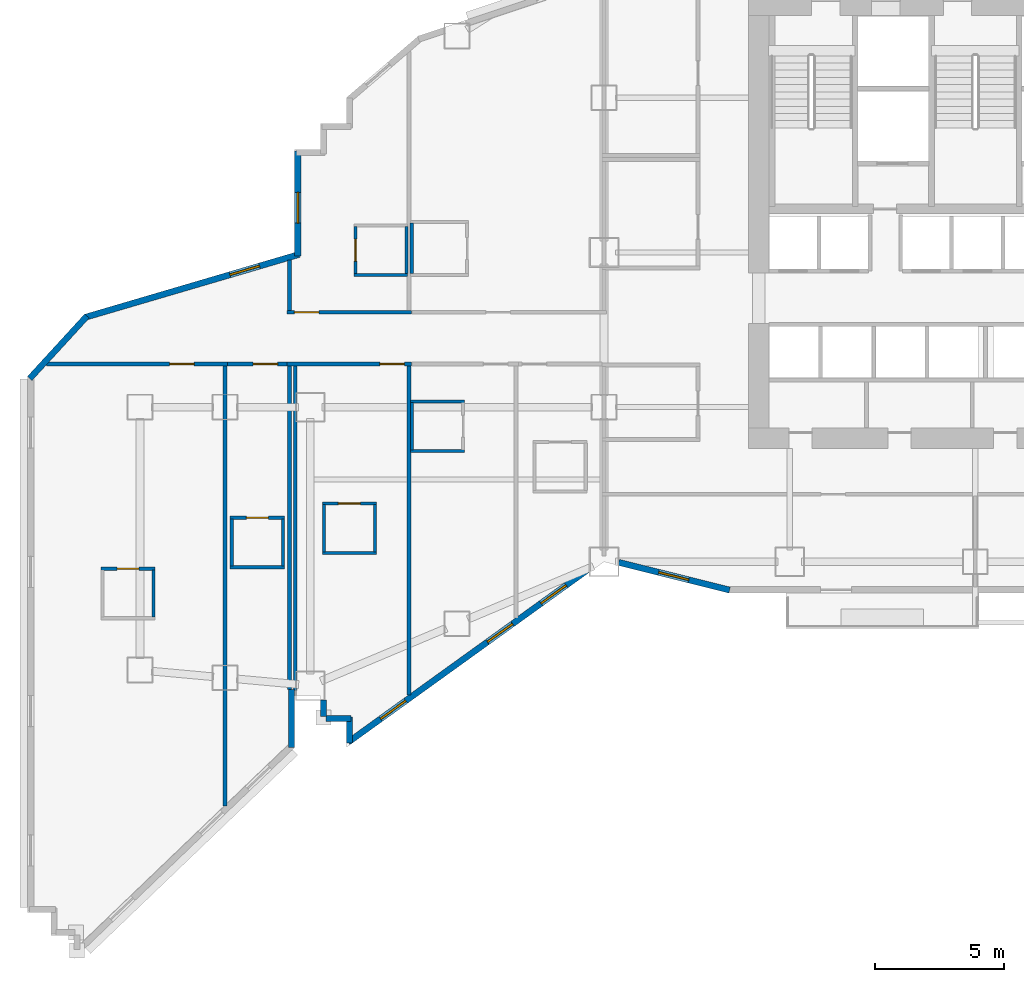
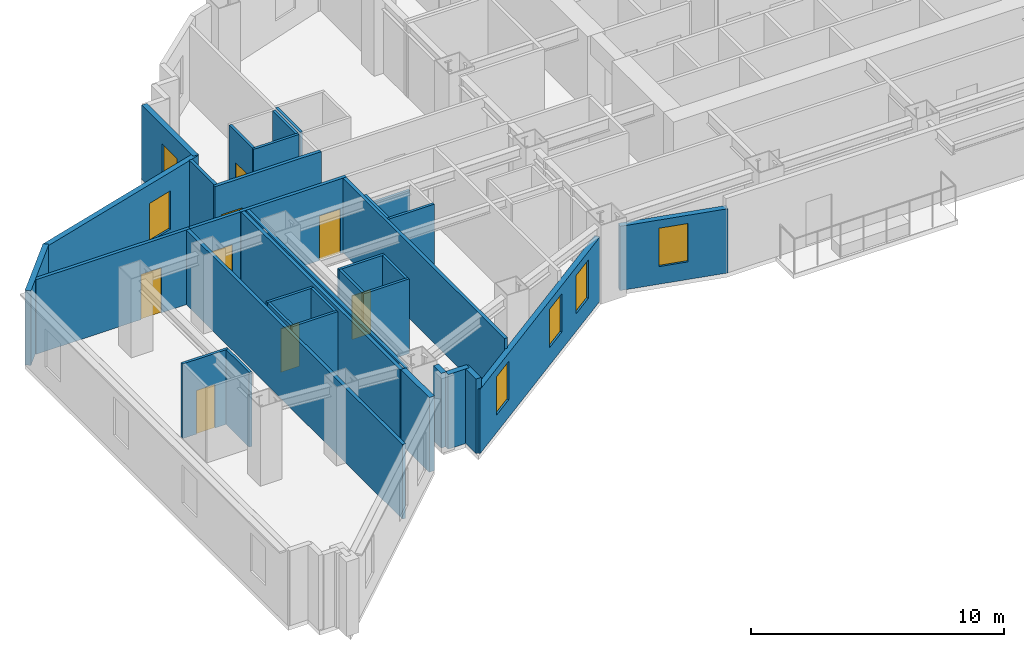
# One storey, part 6 of 17: 35 walls, 8 doors, 6 windows, 14 openings.
"""IFC4 building model written with IfcOpenShell, lengths in metres."""

from ifc_helpers import new_model, si_unit, direction, frame, frame_2d, origin, place, context, subcontext, project, spatial, rectangle, extrude, material, layer, layer_set, type_object, element, fill, save


model = new_model("IFC4")

# Units and contexts
model_context = context("Model", 3, precision=1e-05, world=origin(), true_north=direction((0.0, 1.0)))
body_context = subcontext(model_context, "Body", "Model", "MODEL_VIEW")
ifc_project = project(units=[si_unit("LENGTHUNIT", "METRE"), si_unit("AREAUNIT", "SQUARE_METRE"), si_unit("VOLUMEUNIT", "CUBIC_METRE"), si_unit("PLANEANGLEUNIT", "RADIAN"), si_unit("MASSUNIT", "GRAM", prefix="KILO")], contexts=[model_context])

# Site, building, storey
site_placement = place(None, origin())
site = spatial("IfcSite", under=ifc_project, at=site_placement, CompositionType="ELEMENT")
building_placement = place(site_placement, origin())
building = spatial("IfcBuilding", under=site, at=building_placement, Name="Haolan Belvedere Tower", CompositionType="ELEMENT")
storey_placement = place(building_placement, frame((0.0, 0.0, 55.199951171875)))
storey = spatial("IfcBuildingStorey", under=building, at=storey_placement, Name="L13", CompositionType="ELEMENT", Elevation=55.199951171875)

# Walls
ifc_material_1 = material(Name="Precast concrete C40/50", Category="concrete")
ifc_layer_1 = layer(ifc_material_1, 0.239990234375, Name="Precast concrete C40/50")
ifc_layer_set_1 = layer_set([ifc_layer_1], Name="Precast concrete C40/50")
wall_type_1 = type_object("IfcWallType", Name="WL-EXT-240", PredefinedType="SOLIDWALL", material=ifc_layer_set_1)
wall_1_placement = place(storey_placement, frame((11.8798828125, 14.396240234375, 0.0), z_axis=(0.0, 0.0, 1.0), x_axis=(0.0, 1.0, 0.0)))
element("IfcWall", 1, at=wall_1_placement, inside=storey, type_object=wall_type_1, Name="L13 pale-metal exterior spandrel wall 6.1", PredefinedType="SOLIDWALL", context=body_context, shape_type="SweptSolid", body=[
    extrude(rectangle(XDim=2.24365234375, YDim=0.239990234375, at=frame_2d((1.121826171875, 0.0))), origin(), (0.0, 0.0, 1.0), 3.60009765625),
])
wall_2_placement = place(storey_placement, frame((13.1201171875, 16.23291015625, 0.0), z_axis=(0.0, 0.0, 1.0), x_axis=(0.0, -1.0, 0.0)))
element("IfcWall", 2, at=wall_2_placement, inside=storey, type_object=wall_type_1, Name="L13 pale-metal exterior spandrel wall 8.1", PredefinedType="SOLIDWALL", context=body_context, shape_type="SweptSolid", body=[
    extrude(rectangle(XDim=0.6279296875, YDim=0.239990234375, at=frame_2d((0.31396484375, 0.0))), origin(), (0.0, 0.0, 1.0), 3.60009765625),
])
wall_3_placement = place(storey_placement, frame((13.205078125, 15.52001953125, 0.0), z_axis=(0.0, 0.0, 1.0), x_axis=(1.0, 0.0, 0.0)))
element("IfcWall", 3, at=wall_3_placement, inside=storey, type_object=wall_type_1, Name="L13 pale-metal exterior spandrel wall 9.1", PredefinedType="SOLIDWALL", context=body_context, shape_type="SweptSolid", body=[
    extrude(rectangle(XDim=0.969970703125, YDim=0.239990234375, at=frame_2d((0.48486328125, 0.0))), origin(), (0.0, 0.0, 1.0), 3.60009765625),
])
wall_4_placement = place(storey_placement, frame((14.1201171875, 15.574951171875, 0.0), z_axis=(0.0, 0.0, 1.0), x_axis=(0.0, -1.0, 0.0)))
element("IfcWall", 4, at=wall_4_placement, inside=storey, type_object=wall_type_1, Name="L13 pale-metal exterior spandrel wall 10.1", PredefinedType="SOLIDWALL", context=body_context, shape_type="SweptSolid", body=[
    extrude(rectangle(XDim=0.99560546875, YDim=0.239990234375, at=frame_2d((0.497802734375, 0.0))), origin(), (0.0, 0.0, 1.0), 3.60009765625),
])

# Wall, openings, windows
wall_5_placement = place(storey_placement, frame((14.075439453125, 14.602294921875, 0.0), z_axis=(0.0, 0.0, 1.0), x_axis=(0.811543176492, 0.58429245476, 0.0)))
wall_5 = element("IfcWall", 5, at=wall_5_placement, inside=storey, type_object=wall_type_1, Name="L13 pale-metal exterior spandrel wall 11.1", PredefinedType="SOLIDWALL", context=body_context, shape_type="SweptSolid", body=[
    extrude(rectangle(XDim=11.53076171875, YDim=0.239990234375, at=frame_2d((5.765380859375, 0.0))), origin(), (0.0, 0.0, 1.0), 3.09716796875),
])
opening_1_placement = place(wall_5_placement, frame((1.55419921875, 0.0, 0.85009765625)))
opening_1 = element("IfcOpeningElement", 6, at=opening_1_placement, cuts=wall_5, Name="Opening W-01", PredefinedType="OPENING", context=body_context, shape_type="SweptSolid", body=[
    extrude(rectangle(XDim=1.199951171875, YDim=1.85009765625, at=frame_2d((0.60009765625, 0.925048828125))), frame((0.0, 0.1298828125, 0.0), z_axis=(0.0, -1.0, 0.0), x_axis=(1.0, 0.0, 0.0)), (0.0, 0.0, 1.0), 0.260009765625),
])
opening_2_placement = place(wall_5_placement, frame((6.65576171875, 0.0, 0.85009765625)))
opening_2 = element("IfcOpeningElement", 7, at=opening_2_placement, cuts=wall_5, Name="Opening W-01", PredefinedType="OPENING", context=body_context, shape_type="SweptSolid", body=[
    extrude(rectangle(XDim=1.199951171875, YDim=1.85009765625, at=frame_2d((0.60009765625, 0.925048828125))), frame((0.0, 0.1298828125, 0.0), z_axis=(0.0, -1.0, 0.0), x_axis=(1.0, 0.0, 0.0)), (0.0, 0.0, 1.0), 0.260009765625),
])
opening_3_placement = place(wall_5_placement, frame((9.217529296875, 0.0, 0.85009765625)))
opening_3 = element("IfcOpeningElement", 8, at=opening_3_placement, cuts=wall_5, Name="Opening W-01", PredefinedType="OPENING", context=body_context, shape_type="SweptSolid", body=[
    extrude(rectangle(XDim=1.199951171875, YDim=1.85009765625, at=frame_2d((0.60009765625, 0.925048828125))), frame((0.0, 0.1298828125, 0.0), z_axis=(0.0, -1.0, 0.0), x_axis=(1.0, 0.0, 0.0)), (0.0, 0.0, 1.0), 0.260009765625),
])
ifc_material_2 = material(Name="Anodised aluminium 6063-T6 and Low-E glass", Category="aluminium")
window_type = type_object("IfcWindowType", Name="WN-DECO-Z1", PartitioningType="SINGLE_PANEL", PredefinedType="WINDOW", material=ifc_material_2)
window_1_placement = place(opening_1_placement, origin())
window_1 = element("IfcWindow", 9, at=window_1_placement, inside=storey, type_object=window_type, Name="L13 Art Deco chevron window 1", OverallHeight=1.85009765625, OverallWidth=1.199951171875, PartitioningType="SINGLE_PANEL", PredefinedType="WINDOW", context=body_context, shape_type="SweptSolid", body=[
    extrude(rectangle(XDim=1.199951171875, YDim=1.85009765625, at=frame_2d((0.60009765625, 0.925048828125))), frame((0.0, 0.030029296875, 0.0), z_axis=(0.0, -1.0, 0.0), x_axis=(1.0, 0.0, 0.0)), (0.0, 0.0, 1.0), 0.06005859375),
])
fill(opening_1, window_1)
window_2_placement = place(opening_2_placement, origin())
window_2 = element("IfcWindow", 10, at=window_2_placement, inside=storey, type_object=window_type, Name="L13 Art Deco chevron window 2", OverallHeight=1.85009765625, OverallWidth=1.199951171875, PartitioningType="SINGLE_PANEL", PredefinedType="WINDOW", context=body_context, shape_type="SweptSolid", body=[
    extrude(rectangle(XDim=1.199951171875, YDim=1.85009765625, at=frame_2d((0.60009765625, 0.925048828125))), frame((0.0, 0.030029296875, 0.0), z_axis=(0.0, -1.0, 0.0), x_axis=(1.0, 0.0, 0.0)), (0.0, 0.0, 1.0), 0.06005859375),
])
fill(opening_2, window_2)
window_3_placement = place(opening_3_placement, origin())
window_3 = element("IfcWindow", 11, at=window_3_placement, inside=storey, type_object=window_type, Name="L13 Art Deco guestroom window 1", OverallHeight=1.85009765625, OverallWidth=1.199951171875, PartitioningType="SINGLE_PANEL", PredefinedType="WINDOW", context=body_context, shape_type="SweptSolid", body=[
    extrude(rectangle(XDim=1.199951171875, YDim=1.85009765625, at=frame_2d((0.60009765625, 0.925048828125))), frame((0.0, 0.030029296875, 0.0), z_axis=(0.0, -1.0, 0.0), x_axis=(1.0, 0.0, 0.0)), (0.0, 0.0, 1.0), 0.06005859375),
])
fill(opening_3, window_3)

# Wall, opening, window
wall_6_placement = place(storey_placement, frame((24.56689453125, 21.581787109375, 0.0), z_axis=(0.0, 0.0, 1.0), x_axis=(0.970148978127, -0.24250971164, 0.0)))
wall_6 = element("IfcWall", 12, at=wall_6_placement, inside=storey, type_object=wall_type_1, Name="L13 pale-metal exterior spandrel wall 12.1", PredefinedType="SOLIDWALL", context=body_context, shape_type="SweptSolid", body=[
    extrude(rectangle(XDim=4.43359375, YDim=0.239990234375, at=frame_2d((2.216796875, 0.0))), origin(), (0.0, 0.0, 1.0), 3.09716796875),
])
opening_4_placement = place(wall_6_placement, frame((1.60009765625, 0.0, 0.85009765625)))
opening_4 = element("IfcOpeningElement", 13, at=opening_4_placement, cuts=wall_6, Name="Opening W-01", PredefinedType="OPENING", context=body_context, shape_type="SweptSolid", body=[
    extrude(rectangle(XDim=1.199951171875, YDim=1.85009765625, at=frame_2d((0.60009765625, 0.925048828125))), frame((0.0, 0.1298828125, 0.0), z_axis=(0.0, -1.0, 0.0), x_axis=(1.0, 0.0, 0.0)), (0.0, 0.0, 1.0), 0.260009765625),
])
window_4_placement = place(opening_4_placement, origin())
window_4 = element("IfcWindow", 14, at=window_4_placement, inside=storey, type_object=window_type, Name="L13 Art Deco chevron window 1", OverallHeight=1.85009765625, OverallWidth=1.199951171875, PartitioningType="SINGLE_PANEL", PredefinedType="WINDOW", context=body_context, shape_type="SweptSolid", body=[
    extrude(rectangle(XDim=1.199951171875, YDim=1.85009765625, at=frame_2d((0.60009765625, 0.925048828125))), frame((0.0, 0.030029296875, 0.0), z_axis=(0.0, -1.0, 0.0), x_axis=(1.0, 0.0, 0.0)), (0.0, 0.0, 1.0), 0.06005859375),
])
fill(opening_4, window_4)

wall_7_placement = place(storey_placement, frame((12.1201171875, 37.534912109375, 0.0), z_axis=(0.0, 0.0, 1.0), x_axis=(0.0, -1.0, 0.0)))
wall_7 = element("IfcWall", 15, at=wall_7_placement, inside=storey, type_object=wall_type_1, Name="L13 pale-metal exterior spandrel wall 56.1", PredefinedType="SOLIDWALL", context=body_context, shape_type="SweptSolid", body=[
    extrude(rectangle(XDim=4.079833984375, YDim=0.239990234375, at=frame_2d((2.0400390625, 0.0))), origin(), (0.0, 0.0, 1.0), 3.60009765625),
])
opening_5_placement = place(wall_7_placement, frame((1.60009765625, 0.0, 0.85009765625)))
opening_5 = element("IfcOpeningElement", 16, at=opening_5_placement, cuts=wall_7, Name="Opening W-01", PredefinedType="OPENING", context=body_context, shape_type="SweptSolid", body=[
    extrude(rectangle(XDim=1.199951171875, YDim=1.85009765625, at=frame_2d((0.60009765625, 0.925048828125))), frame((0.0, 0.1298828125, 0.0), z_axis=(0.0, -1.0, 0.0), x_axis=(1.0, 0.0, 0.0)), (0.0, 0.0, 1.0), 0.260009765625),
])
window_5_placement = place(opening_5_placement, origin())
window_5 = element("IfcWindow", 17, at=window_5_placement, inside=storey, type_object=window_type, Name="L13 Art Deco chevron window 1", OverallHeight=1.85009765625, OverallWidth=1.199951171875, PartitioningType="SINGLE_PANEL", PredefinedType="WINDOW", context=body_context, shape_type="SweptSolid", body=[
    extrude(rectangle(XDim=1.199951171875, YDim=1.85009765625, at=frame_2d((0.60009765625, 0.925048828125))), frame((0.0, 0.030029296875, 0.0), z_axis=(0.0, -1.0, 0.0), x_axis=(1.0, 0.0, 0.0)), (0.0, 0.0, 1.0), 0.06005859375),
])
fill(opening_5, window_5)

wall_8_placement = place(storey_placement, frame((12.1728515625, 33.525634765625, 0.0), z_axis=(0.0, 0.0, 1.0), x_axis=(-0.959372673811, -0.28214193723, 0.0)))
wall_8 = element("IfcWall", 18, at=wall_8_placement, inside=storey, type_object=wall_type_1, Name="L13 pale-metal exterior spandrel wall 57.1", PredefinedType="SOLIDWALL", context=body_context, shape_type="SweptSolid", body=[
    extrude(rectangle(XDim=8.672119140625, YDim=0.239990234375, at=frame_2d((4.3359375, 0.0))), origin(), (0.0, 0.0, 1.0), 3.60009765625),
])
opening_6_placement = place(wall_8_placement, frame((1.60009765625, 0.0, 0.85009765625)))
opening_6 = element("IfcOpeningElement", 19, at=opening_6_placement, cuts=wall_8, Name="Opening W-01", PredefinedType="OPENING", context=body_context, shape_type="SweptSolid", body=[
    extrude(rectangle(XDim=1.199951171875, YDim=1.85009765625, at=frame_2d((0.60009765625, 0.925048828125))), frame((0.0, 0.1298828125, 0.0), z_axis=(0.0, -1.0, 0.0), x_axis=(1.0, 0.0, 0.0)), (0.0, 0.0, 1.0), 0.260009765625),
])
window_6_placement = place(opening_6_placement, origin())
window_6 = element("IfcWindow", 20, at=window_6_placement, inside=storey, type_object=window_type, Name="L13 Art Deco chevron window 1", OverallHeight=1.85009765625, OverallWidth=1.199951171875, PartitioningType="SINGLE_PANEL", PredefinedType="WINDOW", context=body_context, shape_type="SweptSolid", body=[
    extrude(rectangle(XDim=1.199951171875, YDim=1.85009765625, at=frame_2d((0.60009765625, 0.925048828125))), frame((0.0, 0.030029296875, 0.0), z_axis=(0.0, -1.0, 0.0), x_axis=(1.0, 0.0, 0.0)), (0.0, 0.0, 1.0), 0.06005859375),
])
fill(opening_6, window_6)

# Wall
wall_9_placement = place(storey_placement, frame((3.943115234375, 31.134765625, 0.0), z_axis=(0.0, 0.0, 1.0), x_axis=(-0.675751546976, -0.737129464042, 0.0)))
element("IfcWall", 21, at=wall_9_placement, inside=storey, type_object=wall_type_1, Name="L13 pale-metal exterior spandrel wall 58.1", PredefinedType="SOLIDWALL", context=body_context, shape_type="SweptSolid", body=[
    extrude(rectangle(XDim=3.28564453125, YDim=0.239990234375, at=frame_2d((1.642822265625, 0.0))), origin(), (0.0, 0.0, 1.0), 3.60009765625),
])

# Wall, opening, door
ifc_material_3 = material(Name="Double gypsum acoustic stud partition", Category="masonry")
ifc_layer_2 = layer(ifc_material_3, 0.14990234375, Name="Double gypsum acoustic stud partition")
ifc_layer_set_2 = layer_set([ifc_layer_2], Name="Double gypsum acoustic stud partition")
wall_type_2 = type_object("IfcWallType", Name="WL-PART-150", PredefinedType="PARTITIONING", material=ifc_layer_set_2)
wall_10_placement = place(storey_placement, frame((11.699951171875, 31.280029296875, 0.0), z_axis=(0.0, 0.0, 1.0), x_axis=(1.0, 0.0, 0.0)))
wall_10 = element("IfcWall", 22, at=wall_10_placement, inside=storey, type_object=wall_type_2, Name="L13 interior partition IW-L13-T2N1-S", PredefinedType="PARTITIONING", context=body_context, shape_type="SweptSolid", body=[
    extrude(rectangle(XDim=4.840087890625, YDim=0.14990234375, at=frame_2d((2.419921875, 0.0))), origin(), (0.0, 0.0, 1.0), 3.60009765625),
])
opening_7_placement = place(wall_10_placement, frame((0.28759765625, 0.0, 0.0)))
opening_7 = element("IfcOpeningElement", 23, at=opening_7_placement, cuts=wall_10, Name="Opening ID-02", PredefinedType="OPENING", context=body_context, shape_type="SweptSolid", body=[
    extrude(rectangle(XDim=0.949951171875, YDim=2.14990234375, at=frame_2d((0.47509765625, 1.074951171875))), frame((0.0, 0.0849609375, 0.0), z_axis=(0.0, -1.0, 0.0), x_axis=(1.0, 0.0, 0.0)), (0.0, 0.0, 1.0), 0.169921875),
])
ifc_material_4 = material(Name="Acoustic oak veneer fire-rated timber", Category="wood")
door_type_1 = type_object("IfcDoorType", Name="DR-GUEST-950", OperationType="NOTDEFINED", PredefinedType="DOOR", material=ifc_material_4)
door_1_placement = place(opening_7_placement, origin())
door_1 = element("IfcDoor", 24, at=door_1_placement, inside=storey, type_object=door_type_1, Name="L13 door ID-L13-T2N1-ENT", OperationType="SINGLE_SWING_LEFT", OverallHeight=2.14990234375, OverallWidth=0.949951171875, PredefinedType="DOOR", context=body_context, shape_type="SweptSolid", body=[
    extrude(rectangle(XDim=0.949951171875, YDim=2.14990234375, at=frame_2d((0.47509765625, 1.074951171875))), frame((0.0, 0.02490234375, 0.0), z_axis=(0.0, -1.0, 0.0), x_axis=(1.0, 0.0, 0.0)), (0.0, 0.0, 1.0), 0.050048828125),
])
fill(opening_7, door_1)

# Wall
wall_11_placement = place(storey_placement, frame((11.800048828125, 31.340087890625, 0.0), z_axis=(0.0, 0.0, 1.0), x_axis=(0.0, 1.0, 0.0)))
element("IfcWall", 25, at=wall_11_placement, inside=storey, type_object=wall_type_2, Name="L13 interior partition IW-L13-T2N1-W", PredefinedType="PARTITIONING", context=body_context, shape_type="SweptSolid", body=[
    extrude(rectangle(XDim=1.966552734375, YDim=0.14990234375, at=frame_2d((0.9833984375, 0.0))), origin(), (0.0, 0.0, 1.0), 3.60009765625),
])

# Wall, opening, door
wall_12_placement = place(storey_placement, frame((11.699951171875, 29.27001953125, 0.0), z_axis=(0.0, 0.0, 1.0), x_axis=(1.0, 0.0, 0.0)))
wall_12 = element("IfcWall", 26, at=wall_12_placement, inside=storey, type_object=wall_type_2, Name="L13 interior partition IW-L13-T2S1-N", PredefinedType="PARTITIONING", context=body_context, shape_type="SweptSolid", body=[
    extrude(rectangle(XDim=4.840087890625, YDim=0.14990234375, at=frame_2d((2.419921875, 0.0))), origin(), (0.0, 0.0, 1.0), 3.60009765625),
])
opening_8_placement = place(wall_12_placement, frame((4.552490234375, 0.0, 0.0), z_axis=(0.0, 0.0, 1.0), x_axis=(-1.0, 0.0, 0.0)))
opening_8 = element("IfcOpeningElement", 27, at=opening_8_placement, cuts=wall_12, Name="Opening ID-02", PredefinedType="OPENING", context=body_context, shape_type="SweptSolid", body=[
    extrude(rectangle(XDim=0.949951171875, YDim=2.14990234375, at=frame_2d((0.47509765625, 1.074951171875))), frame((0.0, 0.0849609375, 0.0), z_axis=(0.0, -1.0, 0.0), x_axis=(1.0, 0.0, 0.0)), (0.0, 0.0, 1.0), 0.169921875),
])
door_2_placement = place(opening_8_placement, origin())
door_2 = element("IfcDoor", 28, at=door_2_placement, inside=storey, type_object=door_type_1, Name="L13 door ID-L13-T2S1-ENT", OperationType="SINGLE_SWING_LEFT", OverallHeight=2.14990234375, OverallWidth=0.949951171875, PredefinedType="DOOR", context=body_context, shape_type="SweptSolid", body=[
    extrude(rectangle(XDim=0.949951171875, YDim=2.14990234375, at=frame_2d((0.47509765625, 1.074951171875))), frame((0.0, 0.02490234375, 0.0), z_axis=(0.0, -1.0, 0.0), x_axis=(1.0, 0.0, 0.0)), (0.0, 0.0, 1.0), 0.050048828125),
])
fill(opening_8, door_2)

# Walls
wall_13_placement = place(storey_placement, frame((11.800048828125, 16.64208984375, 0.0), z_axis=(0.0, 0.0, 1.0), x_axis=(0.0, 1.0, 0.0)))
element("IfcWall", 29, at=wall_13_placement, inside=storey, type_object=wall_type_2, Name="L13 interior partition IW-L13-T2S1-W", PredefinedType="PARTITIONING", context=body_context, shape_type="SweptSolid", body=[
    extrude(rectangle(XDim=12.56787109375, YDim=0.14990234375, at=frame_2d((6.283935546875, 0.0))), origin(), (0.0, 0.0, 1.0), 3.60009765625),
])
wall_14_placement = place(storey_placement, frame((16.43994140625, 16.43408203125, 0.0), z_axis=(0.0, 0.0, 1.0), x_axis=(0.0, 1.0, 0.0)))
element("IfcWall", 30, at=wall_14_placement, inside=storey, type_object=wall_type_2, Name="L13 interior partition IW-L13-T2S1-E", PredefinedType="PARTITIONING", context=body_context, shape_type="SweptSolid", body=[
    extrude(rectangle(XDim=12.77587890625, YDim=0.14990234375, at=frame_2d((6.387939453125, 0.0))), origin(), (0.0, 0.0, 1.0), 3.60009765625),
])

# Wall, opening, door
wall_15_placement = place(storey_placement, frame((2.3759765625, 29.27001953125, 0.0), z_axis=(0.0, 0.0, 1.0), x_axis=(1.0, 0.0, 0.0)))
wall_15 = element("IfcWall", 31, at=wall_15_placement, inside=storey, type_object=wall_type_2, Name="L13 interior partition IW-L13-T1S1-N", PredefinedType="PARTITIONING", context=body_context, shape_type="SweptSolid", body=[
    extrude(rectangle(XDim=7.02392578125, YDim=0.14990234375, at=frame_2d((3.511962890625, 0.0))), origin(), (0.0, 0.0, 1.0), 3.60009765625),
])
opening_9_placement = place(wall_15_placement, frame((5.726806640625, 0.0, 0.0), z_axis=(0.0, 0.0, 1.0), x_axis=(-1.0, 0.0, 0.0)))
opening_9 = element("IfcOpeningElement", 32, at=opening_9_placement, cuts=wall_15, Name="Opening ID-01", PredefinedType="OPENING", context=body_context, shape_type="SweptSolid", body=[
    extrude(rectangle(XDim=0.949951171875, YDim=2.179931640625, at=frame_2d((0.47509765625, 1.08984375))), frame((0.0, 0.0849609375, 0.0), z_axis=(0.0, -1.0, 0.0), x_axis=(1.0, 0.0, 0.0)), (0.0, 0.0, 1.0), 0.169921875),
])
ifc_material_5 = material(Name="Acoustic walnut veneer fire-rated timber", Category="wood")
door_type_2 = type_object("IfcDoorType", Name="DR-SUITE-950", OperationType="NOTDEFINED", PredefinedType="DOOR", material=ifc_material_5)
door_3_placement = place(opening_9_placement, origin())
door_3 = element("IfcDoor", 33, at=door_3_placement, inside=storey, type_object=door_type_2, Name="L13 door ID-L13-T1S1-ENT", OperationType="SINGLE_SWING_LEFT", OverallHeight=2.179931640625, OverallWidth=0.949951171875, PredefinedType="DOOR", context=body_context, shape_type="SweptSolid", body=[
    extrude(rectangle(XDim=0.949951171875, YDim=2.179931640625, at=frame_2d((0.47509765625, 1.08984375))), frame((0.0, 0.02490234375, 0.0), z_axis=(0.0, -1.0, 0.0), x_axis=(1.0, 0.0, 0.0)), (0.0, 0.0, 1.0), 0.050048828125),
])
fill(opening_9, door_3)

# Wall
wall_16_placement = place(storey_placement, frame((9.300048828125, 12.12451171875, 0.0), z_axis=(0.0, 0.0, 1.0), x_axis=(0.0, 1.0, 0.0)))
element("IfcWall", 34, at=wall_16_placement, inside=storey, type_object=wall_type_2, Name="L13 interior partition IW-L13-T1S1-E", PredefinedType="PARTITIONING", context=body_context, shape_type="SweptSolid", body=[
    extrude(rectangle(XDim=17.08544921875, YDim=0.14990234375, at=frame_2d((8.542724609375, 0.0))), origin(), (0.0, 0.0, 1.0), 3.60009765625),
])

# Wall, opening, door
wall_17_placement = place(storey_placement, frame((9.402099609375, 29.27001953125, 0.0), z_axis=(0.0, 0.0, 1.0), x_axis=(1.0, 0.0, 0.0)))
wall_17 = element("IfcWall", 35, at=wall_17_placement, inside=storey, type_object=wall_type_2, Name="L13 interior partition IW-L13-T1S2-N", PredefinedType="PARTITIONING", context=body_context, shape_type="SweptSolid", body=[
    extrude(rectangle(XDim=2.2958984375, YDim=0.14990234375, at=frame_2d((1.14794921875, 0.0))), origin(), (0.0, 0.0, 1.0), 3.60009765625),
])
opening_10_placement = place(wall_17_placement, frame((1.93408203125, 0.0, 0.0), z_axis=(0.0, 0.0, 1.0), x_axis=(-1.0, 0.0, 0.0)))
opening_10 = element("IfcOpeningElement", 36, at=opening_10_placement, cuts=wall_17, Name="Opening ID-02", PredefinedType="OPENING", context=body_context, shape_type="SweptSolid", body=[
    extrude(rectangle(XDim=0.949951171875, YDim=2.14990234375, at=frame_2d((0.47509765625, 1.074951171875))), frame((0.0, 0.0849609375, 0.0), z_axis=(0.0, -1.0, 0.0), x_axis=(1.0, 0.0, 0.0)), (0.0, 0.0, 1.0), 0.169921875),
])
door_4_placement = place(opening_10_placement, origin())
door_4 = element("IfcDoor", 37, at=door_4_placement, inside=storey, type_object=door_type_1, Name="L13 door ID-L13-T1S2-ENT", OperationType="SINGLE_SWING_RIGHT", OverallHeight=2.14990234375, OverallWidth=0.949951171875, PredefinedType="DOOR", context=body_context, shape_type="SweptSolid", body=[
    extrude(rectangle(XDim=0.949951171875, YDim=2.14990234375, at=frame_2d((0.47509765625, 1.074951171875))), frame((0.0, 0.02490234375, 0.0), z_axis=(0.0, -1.0, 0.0), x_axis=(1.0, 0.0, 0.0)), (0.0, 0.0, 1.0), 0.050048828125),
])
fill(opening_10, door_4)

# Walls
wall_18_placement = place(storey_placement, frame((12.02001953125, 16.612060546875, 0.0), z_axis=(0.0, 0.0, 1.0), x_axis=(0.0, 1.0, 0.0)))
element("IfcWall", 38, at=wall_18_placement, inside=storey, type_object=wall_type_2, Name="L13 interior partition IW-L13-T1S2-E", PredefinedType="PARTITIONING", context=body_context, shape_type="SweptSolid", body=[
    extrude(rectangle(XDim=12.597900390625, YDim=0.14990234375, at=frame_2d((6.298828125, 0.0))), origin(), (0.0, 0.0, 1.0), 3.60009765625),
])
ifc_material_6 = material(Name="Moisture-resistant gypsum tile partition", Category="masonry")
ifc_layer_3 = layer(ifc_material_6, 0.1201171875, Name="Moisture-resistant gypsum tile partition")
ifc_layer_set_3 = layer_set([ifc_layer_3], Name="Moisture-resistant gypsum tile partition")
wall_type_3 = type_object("IfcWallType", Name="WL-WET-120", PredefinedType="PARTITIONING", material=ifc_layer_set_3)
wall_19_placement = place(storey_placement, frame((14.300048828125, 32.72998046875, 0.0), z_axis=(0.0, 0.0, 1.0), x_axis=(1.0, 0.0, 0.0)))
element("IfcWall", 39, at=wall_19_placement, inside=storey, type_object=wall_type_3, Name="L13 interior partition IW-L13-T2N1-BS", PredefinedType="PARTITIONING", context=body_context, shape_type="SweptSolid", body=[
    extrude(rectangle(XDim=2.079833984375, YDim=0.1201171875, at=frame_2d((1.0400390625, 0.0))), origin(), (0.0, 0.0, 1.0), 3.60009765625),
])

# Wall, opening, door
wall_20_placement = place(storey_placement, frame((14.360107421875, 32.77490234375, 0.0), z_axis=(0.0, 0.0, 1.0), x_axis=(0.0, 1.0, 0.0)))
wall_20 = element("IfcWall", 40, at=wall_20_placement, inside=storey, type_object=wall_type_3, Name="L13 interior partition IW-L13-T2N1-BW", PredefinedType="PARTITIONING", context=body_context, shape_type="SweptSolid", body=[
    extrude(rectangle(XDim=1.830078125, YDim=0.1201171875, at=frame_2d((0.9150390625, 0.0))), origin(), (0.0, 0.0, 1.0), 3.60009765625),
])
opening_11_placement = place(wall_20_placement, frame((1.340087890625, 0.0, 0.0), z_axis=(0.0, 0.0, 1.0), x_axis=(-1.0, 0.0, 0.0)))
opening_11 = element("IfcOpeningElement", 41, at=opening_11_placement, cuts=wall_20, Name="Opening ID-05", PredefinedType="OPENING", context=body_context, shape_type="SweptSolid", body=[
    extrude(rectangle(XDim=0.85009765625, YDim=2.10009765625, at=frame_2d((0.425048828125, 1.050048828125))), frame((0.0, 0.070068359375, 0.0), z_axis=(0.0, -1.0, 0.0), x_axis=(1.0, 0.0, 0.0)), (0.0, 0.0, 1.0), 0.14013671875),
])
ifc_material_7 = material(Name="Moisture-resistant lacquered timber", Category="wood")
door_type_3 = type_object("IfcDoorType", Name="DR-BATH-850", OperationType="NOTDEFINED", PredefinedType="DOOR", material=ifc_material_7)
door_5_placement = place(opening_11_placement, origin())
door_5 = element("IfcDoor", 42, at=door_5_placement, inside=storey, type_object=door_type_3, Name="L13 door ID-L13-T2N1-BATH", OperationType="SINGLE_SWING_RIGHT", OverallHeight=2.10009765625, OverallWidth=0.85009765625, PredefinedType="DOOR", context=body_context, shape_type="SweptSolid", body=[
    extrude(rectangle(XDim=0.85009765625, YDim=2.10009765625, at=frame_2d((0.425048828125, 1.050048828125))), frame((0.0, 0.02490234375, 0.0), z_axis=(0.0, -1.0, 0.0), x_axis=(1.0, 0.0, 0.0)), (0.0, 0.0, 1.0), 0.050048828125),
])
fill(opening_11, door_5)

# Walls
wall_21_placement = place(storey_placement, frame((16.340087890625, 32.77490234375, 0.0), z_axis=(0.0, 0.0, 1.0), x_axis=(0.0, 1.0, 0.0)))
element("IfcWall", 43, at=wall_21_placement, inside=storey, type_object=wall_type_3, Name="L13 interior partition IW-L13-T2N1-BE", PredefinedType="PARTITIONING", context=body_context, shape_type="SweptSolid", body=[
    extrude(rectangle(XDim=1.830078125, YDim=0.1201171875, at=frame_2d((0.9150390625, 0.0))), origin(), (0.0, 0.0, 1.0), 3.60009765625),
])
wall_22_placement = place(storey_placement, frame((16.5400390625, 32.77490234375, 0.0), z_axis=(0.0, 0.0, 1.0), x_axis=(0.0, 1.0, 0.0)))
element("IfcWall", 44, at=wall_22_placement, inside=storey, type_object=wall_type_3, Name="L13 interior partition IW-L13-T2N2-BW", PredefinedType="PARTITIONING", context=body_context, shape_type="SweptSolid", body=[
    extrude(rectangle(XDim=1.960205078125, YDim=0.1201171875, at=frame_2d((0.97998046875, 0.0))), origin(), (0.0, 0.0, 1.0), 3.60009765625),
])

# Wall, opening, door
wall_23_placement = place(storey_placement, frame((13.070068359375, 23.860107421875, 0.0), z_axis=(0.0, 0.0, 1.0), x_axis=(1.0, 0.0, 0.0)))
wall_23 = element("IfcWall", 45, at=wall_23_placement, inside=storey, type_object=wall_type_3, Name="L13 interior partition IW-L13-T2S1-BN", PredefinedType="PARTITIONING", context=body_context, shape_type="SweptSolid", body=[
    extrude(rectangle(XDim=2.099853515625, YDim=0.1201171875, at=frame_2d((1.0498046875, 0.0))), origin(), (0.0, 0.0, 1.0), 3.60009765625),
])
opening_12_placement = place(wall_23_placement, frame((1.47509765625, 0.0, 0.0), z_axis=(0.0, 0.0, 1.0), x_axis=(-1.0, 0.0, 0.0)))
opening_12 = element("IfcOpeningElement", 46, at=opening_12_placement, cuts=wall_23, Name="Opening ID-05", PredefinedType="OPENING", context=body_context, shape_type="SweptSolid", body=[
    extrude(rectangle(XDim=0.85009765625, YDim=2.10009765625, at=frame_2d((0.425048828125, 1.050048828125))), frame((0.0, 0.070068359375, 0.0), z_axis=(0.0, -1.0, 0.0), x_axis=(1.0, 0.0, 0.0)), (0.0, 0.0, 1.0), 0.14013671875),
])
door_6_placement = place(opening_12_placement, origin())
door_6 = element("IfcDoor", 47, at=door_6_placement, inside=storey, type_object=door_type_3, Name="L13 door ID-L13-T2S1-BATH", OperationType="SINGLE_SWING_RIGHT", OverallHeight=2.10009765625, OverallWidth=0.85009765625, PredefinedType="DOOR", context=body_context, shape_type="SweptSolid", body=[
    extrude(rectangle(XDim=0.85009765625, YDim=2.10009765625, at=frame_2d((0.425048828125, 1.050048828125))), frame((0.0, 0.02490234375, 0.0), z_axis=(0.0, -1.0, 0.0), x_axis=(1.0, 0.0, 0.0)), (0.0, 0.0, 1.0), 0.050048828125),
])
fill(opening_12, door_6)

# Walls
wall_24_placement = place(storey_placement, frame((13.070068359375, 21.93994140625, 0.0), z_axis=(0.0, 0.0, 1.0), x_axis=(1.0, 0.0, 0.0)))
element("IfcWall", 48, at=wall_24_placement, inside=storey, type_object=wall_type_3, Name="L13 interior partition IW-L13-T2S1-BS", PredefinedType="PARTITIONING", context=body_context, shape_type="SweptSolid", body=[
    extrude(rectangle(XDim=2.099853515625, YDim=0.1201171875, at=frame_2d((1.0498046875, 0.0))), origin(), (0.0, 0.0, 1.0), 3.60009765625),
])
for number, where, z_axis, x_axis, name in (
    (49, (13.1298828125, 21.985107421875, 0.0), (0.0, 0.0, 1.0), (0.0, 1.0, 0.0), "L13 interior partition IW-L13-T2S1-BW"),
    (50, (15.110107421875, 21.985107421875, 0.0), (0.0, 0.0, 1.0), (0.0, 1.0, 0.0), "L13 interior partition IW-L13-T2S1-BE"),
):
    element("IfcWall", number, at=place(storey_placement, frame(where, z_axis=z_axis, x_axis=x_axis)), inside=storey, type_object=wall_type_3, Name=name, PredefinedType="PARTITIONING", context=body_context, shape_type="SweptSolid", body=[
        extrude(rectangle(XDim=1.829833984375, YDim=0.1201171875, at=frame_2d((0.9150390625, 0.0))), origin(), (0.0, 0.0, 1.0), 3.60009765625),
    ])
wall_25_placement = place(storey_placement, frame((16.5, 27.820068359375, 0.0), z_axis=(0.0, 0.0, 1.0), x_axis=(1.0, 0.0, 0.0)))
element("IfcWall", 51, at=wall_25_placement, inside=storey, type_object=wall_type_3, Name="L13 interior partition IW-L13-T2S2-BN", PredefinedType="PARTITIONING", context=body_context, shape_type="SweptSolid", body=[
    extrude(rectangle(XDim=2.094970703125, YDim=0.1201171875, at=frame_2d((1.04736328125, 0.0))), origin(), (0.0, 0.0, 1.0), 3.09716796875),
])
wall_26_placement = place(storey_placement, frame((16.5, 25.89990234375, 0.0), z_axis=(0.0, 0.0, 1.0), x_axis=(1.0, 0.0, 0.0)))
element("IfcWall", 52, at=wall_26_placement, inside=storey, type_object=wall_type_3, Name="L13 interior partition IW-L13-T2S2-BS", PredefinedType="PARTITIONING", context=body_context, shape_type="SweptSolid", body=[
    extrude(rectangle(XDim=2.094970703125, YDim=0.1201171875, at=frame_2d((1.04736328125, 0.0))), origin(), (0.0, 0.0, 1.0), 3.60009765625),
])
wall_27_placement = place(storey_placement, frame((16.554931640625, 25.945068359375, 0.0), z_axis=(0.0, 0.0, 1.0), x_axis=(0.0, 1.0, 0.0)))
element("IfcWall", 53, at=wall_27_placement, inside=storey, type_object=wall_type_3, Name="L13 interior partition IW-L13-T2S2-BW", PredefinedType="PARTITIONING", context=body_context, shape_type="SweptSolid", body=[
    extrude(rectangle(XDim=1.829833984375, YDim=0.1201171875, at=frame_2d((0.9150390625, 0.0))), origin(), (0.0, 0.0, 1.0), 3.60009765625),
])

# Wall, opening, door
wall_28_placement = place(storey_placement, frame((4.485107421875, 21.3310546875, 0.0), z_axis=(0.0, 0.0, 1.0), x_axis=(1.0, 0.0, 0.0)))
wall_28 = element("IfcWall", 54, at=wall_28_placement, inside=storey, type_object=wall_type_3, Name="L13 interior partition IW-L13-T1S1-BN", PredefinedType="PARTITIONING", context=body_context, shape_type="SweptSolid", body=[
    extrude(rectangle(XDim=2.099853515625, YDim=0.1201171875, at=frame_2d((1.0498046875, 0.0))), origin(), (0.0, 0.0, 1.0), 3.60009765625),
])
opening_13_placement = place(wall_28_placement, frame((1.47509765625, 0.0, 0.0), z_axis=(0.0, 0.0, 1.0), x_axis=(-1.0, 0.0, 0.0)))
opening_13 = element("IfcOpeningElement", 55, at=opening_13_placement, cuts=wall_28, Name="Opening ID-05", PredefinedType="OPENING", context=body_context, shape_type="SweptSolid", body=[
    extrude(rectangle(XDim=0.85009765625, YDim=2.10009765625, at=frame_2d((0.425048828125, 1.050048828125))), frame((0.0, 0.070068359375, 0.0), z_axis=(0.0, -1.0, 0.0), x_axis=(1.0, 0.0, 0.0)), (0.0, 0.0, 1.0), 0.14013671875),
])
door_7_placement = place(opening_13_placement, origin())
door_7 = element("IfcDoor", 56, at=door_7_placement, inside=storey, type_object=door_type_3, Name="L13 door ID-L13-T1S1-BATH", OperationType="SINGLE_SWING_RIGHT", OverallHeight=2.10009765625, OverallWidth=0.85009765625, PredefinedType="DOOR", context=body_context, shape_type="SweptSolid", body=[
    extrude(rectangle(XDim=0.85009765625, YDim=2.10009765625, at=frame_2d((0.425048828125, 1.050048828125))), frame((0.0, 0.02490234375, 0.0), z_axis=(0.0, -1.0, 0.0), x_axis=(1.0, 0.0, 0.0)), (0.0, 0.0, 1.0), 0.050048828125),
])
fill(opening_13, door_7)

# Wall
wall_29_placement = place(storey_placement, frame((6.52490234375, 19.4560546875, 0.0), z_axis=(0.0, 0.0, 1.0), x_axis=(0.0, 1.0, 0.0)))
element("IfcWall", 57, at=wall_29_placement, inside=storey, type_object=wall_type_3, Name="L13 interior partition IW-L13-T1S1-BE", PredefinedType="PARTITIONING", context=body_context, shape_type="SweptSolid", body=[
    extrude(rectangle(XDim=1.829833984375, YDim=0.1201171875, at=frame_2d((0.9150390625, 0.0))), origin(), (0.0, 0.0, 1.0), 3.60009765625),
])

# Wall, opening, door
wall_30_placement = place(storey_placement, frame((9.5, 23.31005859375, 0.0), z_axis=(0.0, 0.0, 1.0), x_axis=(1.0, 0.0, 0.0)))
wall_30 = element("IfcWall", 58, at=wall_30_placement, inside=storey, type_object=wall_type_3, Name="L13 interior partition IW-L13-T1S2-BN", PredefinedType="PARTITIONING", context=body_context, shape_type="SweptSolid", body=[
    extrude(rectangle(XDim=2.10009765625, YDim=0.1201171875, at=frame_2d((1.050048828125, 0.0))), origin(), (0.0, 0.0, 1.0), 3.60009765625),
])
opening_14_placement = place(wall_30_placement, frame((1.47509765625, 0.0, 0.0), z_axis=(0.0, 0.0, 1.0), x_axis=(-1.0, 0.0, 0.0)))
opening_14 = element("IfcOpeningElement", 59, at=opening_14_placement, cuts=wall_30, Name="Opening ID-05", PredefinedType="OPENING", context=body_context, shape_type="SweptSolid", body=[
    extrude(rectangle(XDim=0.85009765625, YDim=2.10009765625, at=frame_2d((0.425048828125, 1.050048828125))), frame((0.0, 0.070068359375, 0.0), z_axis=(0.0, -1.0, 0.0), x_axis=(1.0, 0.0, 0.0)), (0.0, 0.0, 1.0), 0.14013671875),
])
door_8_placement = place(opening_14_placement, origin())
door_8 = element("IfcDoor", 60, at=door_8_placement, inside=storey, type_object=door_type_3, Name="L13 door ID-L13-T1S2-BATH", OperationType="SINGLE_SWING_LEFT", OverallHeight=2.10009765625, OverallWidth=0.85009765625, PredefinedType="DOOR", context=body_context, shape_type="SweptSolid", body=[
    extrude(rectangle(XDim=0.85009765625, YDim=2.10009765625, at=frame_2d((0.425048828125, 1.050048828125))), frame((0.0, 0.02490234375, 0.0), z_axis=(0.0, -1.0, 0.0), x_axis=(1.0, 0.0, 0.0)), (0.0, 0.0, 1.0), 0.050048828125),
])
fill(opening_14, door_8)

# Walls
wall_31_placement = place(storey_placement, frame((9.5, 21.389892578125, 0.0), z_axis=(0.0, 0.0, 1.0), x_axis=(1.0, 0.0, 0.0)))
element("IfcWall", 61, at=wall_31_placement, inside=storey, type_object=wall_type_3, Name="L13 interior partition IW-L13-T1S2-BS", PredefinedType="PARTITIONING", context=body_context, shape_type="SweptSolid", body=[
    extrude(rectangle(XDim=2.10009765625, YDim=0.1201171875, at=frame_2d((1.050048828125, 0.0))), origin(), (0.0, 0.0, 1.0), 3.60009765625),
])
for number, where, z_axis, x_axis, name in (
    (62, (9.56005859375, 21.43505859375, 0.0), (0.0, 0.0, 1.0), (0.0, 1.0, 0.0), "L13 interior partition IW-L13-T1S2-BW"),
    (63, (11.5400390625, 21.43505859375, 0.0), (0.0, 0.0, 1.0), (0.0, 1.0, 0.0), "L13 interior partition IW-L13-T1S2-BE"),
):
    element("IfcWall", number, at=place(storey_placement, frame(where, z_axis=z_axis, x_axis=x_axis)), inside=storey, type_object=wall_type_3, Name=name, PredefinedType="PARTITIONING", context=body_context, shape_type="SweptSolid", body=[
        extrude(rectangle(XDim=1.829833984375, YDim=0.1201171875, at=frame_2d((0.9150390625, 0.0))), origin(), (0.0, 0.0, 1.0), 3.60009765625),
    ])

save(model, "model.ifc")
